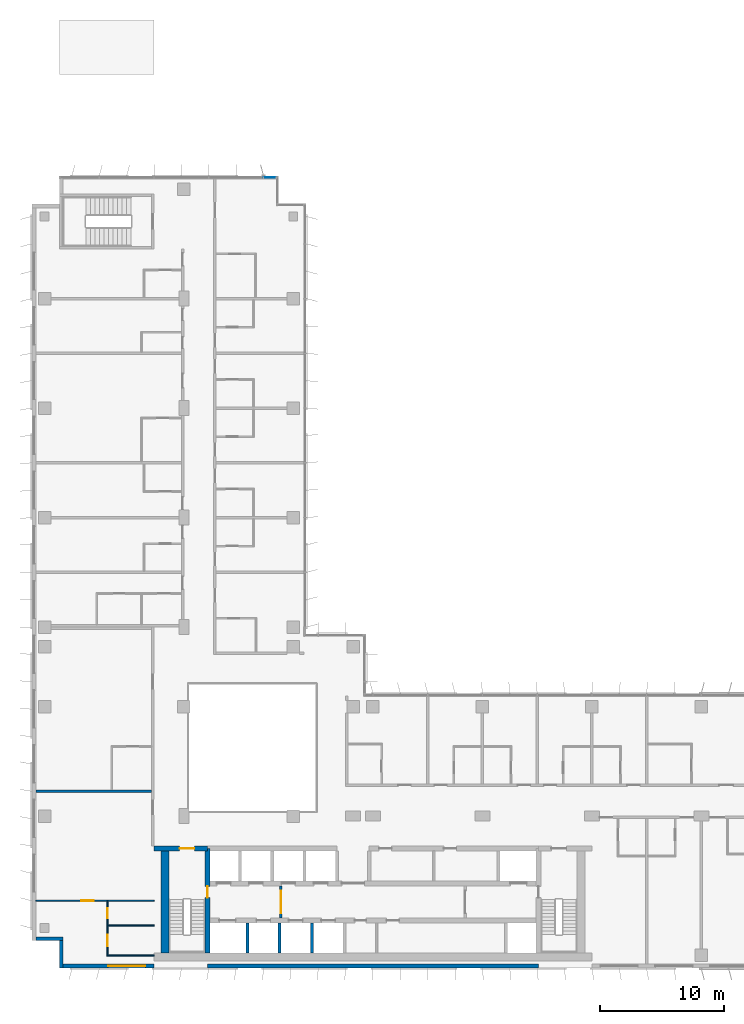
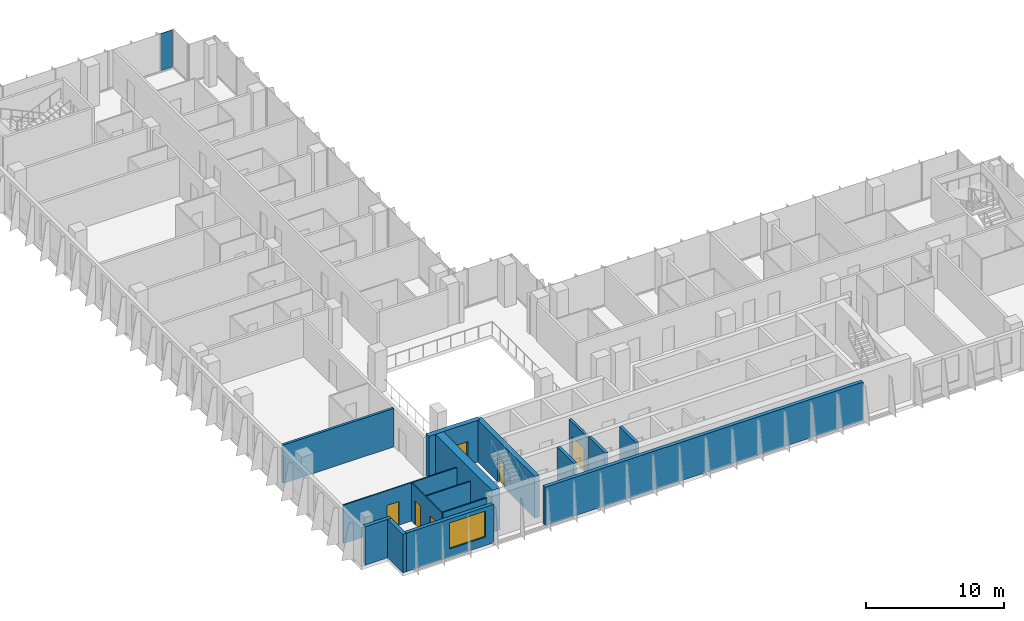
# One storey, part 12 of 21: 16 walls, 6 doors, 1 plate, 1 window, 7 openings, 1 element without a shape of its own.
"""IFC4 building model written with IfcOpenShell, lengths in metres."""

from ifc_helpers import new_model, si_unit, direction, frame, frame_2d, origin, origin_2d, place, context, subcontext, project, spatial, rectangle, extrude, source, transform, mapped, material, layer, layer_set, type_object, element, fill, aggregate, save


model = new_model("IFC4")

# Units and contexts
model_context = context("Model", 3, precision=1e-05, world=origin(), true_north=direction((0.0, 1.0)))
body_context = subcontext(model_context, "Body", "Model", "MODEL_VIEW")
ifc_project = project(units=[si_unit("LENGTHUNIT", "METRE"), si_unit("AREAUNIT", "SQUARE_METRE"), si_unit("VOLUMEUNIT", "CUBIC_METRE"), si_unit("PLANEANGLEUNIT", "RADIAN"), si_unit("MASSUNIT", "GRAM", prefix="KILO")], contexts=[model_context])

# Site, building, storey
site_placement = place(None, origin())
site = spatial("IfcSite", under=ifc_project, at=site_placement, CompositionType="ELEMENT")
building_placement = place(site_placement, origin())
building = spatial("IfcBuilding", under=site, at=building_placement, Name="Kemantara Hotel Tower", CompositionType="ELEMENT")
storey_placement = place(building_placement, frame((0.0, 0.0, 156.800048828125)))
storey = spatial("IfcBuildingStorey", under=building, at=storey_placement, Name="L38", CompositionType="ELEMENT", Elevation=156.800048828125)

# Curtain wall, plate
ifc_material_1 = material(Name="Low-E tinted double insulated glass 36 mm", Category="glass")
curtain_wall_type = type_object("IfcCurtainWallType", Name="TOWER CURTAIN WALL, FRONT FACES", PredefinedType="USERDEFINED", material=ifc_material_1)
curtain_wall_placement = place(storey_placement, origin())
curtain_wall = element("IfcCurtainWall", 1, at=curtain_wall_placement, inside=storey, type_object=curtain_wall_type, Name="CW4 L38 T3-R02-1", ObjectType="TOWER CURTAIN WALL, FRONT FACES", PredefinedType="USERDEFINED")
ifc_layer_1 = layer(ifc_material_1, 0.035888671875)
ifc_layer_set_1 = layer_set([ifc_layer_1], Name="Low-E tinted double insulated glass 36 mm")
plate_type = type_object("IfcPlateType", Name="TOWER CURTAIN WALL, FRONT FACES PANEL", PredefinedType="CURTAIN_PANEL", material=ifc_layer_set_1)
shared_shape = source(origin(), body_context, "Body", "SweptSolid", [
    extrude(rectangle(XDim=0.9599609375, YDim=0.035888671875, at=origin_2d()), origin(), (0.0, 0.0, 1.0), 3.280029296875),
])
plate_placement = place(storey_placement, frame((19.110107421875, 63.52490234375, 0.1201171875), z_axis=(0.0, 0.0, 1.0), x_axis=(-1.0, 0.0, 0.0)))
plate = element("IfcPlate", 2, at=plate_placement, type_object=plate_type, Name="CW4 glass panel T3-R02-1.1", PredefinedType="CURTAIN_PANEL", context=body_context, shape_type="MappedRepresentation", body=[
    mapped(shared_shape, transform((0.0, 0.0, 0.0))),
])
aggregate(curtain_wall, [plate])

# Walls
ifc_material_2 = material(Name="Bronze anodised aluminium cladding on insulated steel stud wall", Category="steel")
ifc_layer_2 = layer(ifc_material_2, 0.300048828125)
ifc_layer_set_2 = layer_set([ifc_layer_2], Name="Bronze anodised aluminium cladding on insulated steel stud wall")
wall_type_1 = type_object("IfcWallType", Name="BRONZE METAL-CLAD EXTERNAL WALL 300", PredefinedType="STANDARD", material=ifc_layer_set_2)
for number, where, z_axis, x_axis, name in (
    (3, (0.300048828125, 2.35009765625, 0.0), (0.0, 0.0, 1.0), (1.0, 0.0, 0.0), "EXTERNAL WALL L38 T3-R06"),
    (4, (2.35009765625, 2.199951171875, 0.0), (0.0, 0.0, 1.0), (0.0, -1.0, 0.0), "EXTERNAL WALL L38 T3-R07"),
):
    element("IfcWall", number, at=place(storey_placement, frame(where, z_axis=z_axis, x_axis=x_axis)), inside=storey, type_object=wall_type_1, Name=name, PredefinedType="STANDARD", context=body_context, shape_type="SweptSolid", body=[
        extrude(rectangle(XDim=2.199951171875, YDim=0.300048828125, at=frame_2d((1.10009765625, 0.0))), origin(), (0.0, 0.0, 1.0), 3.39990234375),
    ])

# Wall, opening, window
wall_1_placement = place(storey_placement, frame((2.5, 0.14990234375, 0.0), z_axis=(0.0, 0.0, 1.0), x_axis=(1.0, 0.0, 0.0)))
wall_1 = element("IfcWall", 5, at=wall_1_placement, inside=storey, type_object=wall_type_1, Name="EXTERNAL WALL L38 T3-R08", PredefinedType="STANDARD", context=body_context, shape_type="SweptSolid", body=[
    extrude(rectangle(XDim=7.300048828125, YDim=0.300048828125, at=frame_2d((3.64990234375, 0.0))), origin(), (0.0, 0.0, 1.0), 3.39990234375),
])
opening_1_placement = place(wall_1_placement, frame((3.60009765625, 0.0, 0.75)))
opening_1 = element("IfcOpeningElement", 6, at=opening_1_placement, cuts=wall_1, Name="Opening W1", PredefinedType="OPENING", context=body_context, shape_type="SweptSolid", body=[
    extrude(rectangle(XDim=3.0, YDim=2.300048828125, at=frame_2d((1.5, 1.14990234375))), frame((0.0, 0.159912109375, 0.0), z_axis=(0.0, -1.0, 0.0), x_axis=(1.0, 0.0, 0.0)), (0.0, 0.0, 1.0), 0.320068359375),
])
ifc_material_3 = material(Name="Low-E tinted double insulated glass in bronze anodised aluminium frame", Category="aluminium")
window_type = type_object("IfcWindowType", Name="CHICAGO WINDOW, TRIPLE PANEL 3000x2300", PartitioningType="TRIPLE_PANEL_VERTICAL", PredefinedType="WINDOW", material=ifc_material_3)
window_placement = place(opening_1_placement, origin())
window = element("IfcWindow", 7, at=window_placement, inside=storey, type_object=window_type, Name="CHICAGO WINDOW L38 T3-R08-54", OverallHeight=2.300048828125, OverallWidth=3.0, PartitioningType="SINGLE_PANEL", PredefinedType="WINDOW", context=body_context, shape_type="SweptSolid", body=[
    extrude(rectangle(XDim=3.0, YDim=2.300048828125, at=frame_2d((1.5, 1.14990234375))), frame((0.0, 0.030029296875, 0.0), z_axis=(0.0, -1.0, 0.0), x_axis=(1.0, 0.0, 0.0)), (0.0, 0.0, 1.0), 0.06005859375),
])
fill(opening_1, window)

# Walls
wall_2_placement = place(storey_placement, frame((14.10009765625, 0.14990234375, 0.0), z_axis=(0.0, 0.0, 1.0), x_axis=(1.0, 0.0, 0.0)))
element("IfcWall", 8, at=wall_2_placement, inside=storey, type_object=wall_type_1, Name="EXTERNAL WALL L38 T3-R08-2", PredefinedType="STANDARD", context=body_context, shape_type="SweptSolid", body=[
    extrude(rectangle(XDim=26.599853515625, YDim=0.300048828125, at=frame_2d((13.2998046875, 0.0))), origin(), (0.0, 0.0, 1.0), 3.39990234375),
])
ifc_material_4 = material(Name="Concrete fc 60 MPa", Category="concrete")
ifc_layer_3 = layer(ifc_material_4, 0.25)
ifc_layer_set_3 = layer_set([ifc_layer_3], Name="Concrete fc 60 MPa")
wall_type_2 = type_object("IfcWallType", Name="CORE WALL 250 FC60", PredefinedType="SHEAR", material=ifc_layer_set_3)
for number, where, z_axis, x_axis, name in (
    (9, (17.300048828125, 1.199951171875, 0.0), (0.0, 0.0, 1.0), (0.0, 1.0, 0.0), "CORE WALL CW-DS17.3"),
    (10, (19.89990234375, 1.199951171875, 0.0), (0.0, 0.0, 1.0), (0.0, 1.0, 0.0), "CORE WALL CW-DS19.9"),
    (11, (22.5, 1.199951171875, 0.0), (0.0, 0.0, 1.0), (0.0, 1.0, 0.0), "CORE WALL CW-DS22.5"),
):
    element("IfcWall", number, at=place(storey_placement, frame(where, z_axis=z_axis, x_axis=x_axis)), inside=storey, type_object=wall_type_2, Name=name, PredefinedType="SHEAR", context=body_context, shape_type="SweptSolid", body=[
        extrude(rectangle(XDim=2.400146484375, YDim=0.25, at=frame_2d((1.2001953125, 0.0))), origin(), (0.0, 0.0, 1.0), 3.699951171875),
    ])

# Wall, opening, door
ifc_layer_4 = layer(ifc_material_4, 0.39990234375)
ifc_layer_set_4 = layer_set([ifc_layer_4], Name="Concrete fc 60 MPa")
wall_type_3 = type_object("IfcWallType", Name="CORE WALL 400 FC60", PredefinedType="SHEAR", material=ifc_layer_set_4)
wall_3_placement = place(storey_placement, frame((9.800048828125, 9.60009765625, 0.0), z_axis=(0.0, 0.0, 1.0), x_axis=(1.0, 0.0, 0.0)))
wall_3 = element("IfcWall", 12, at=wall_3_placement, inside=storey, type_object=wall_type_3, Name="CORE WALL CW-N1", PredefinedType="SHEAR", context=body_context, shape_type="SweptSolid", body=[
    extrude(rectangle(XDim=4.300048828125, YDim=0.39990234375, at=frame_2d((2.14990234375, 0.0))), origin(), (0.0, 0.0, 1.0), 3.699951171875),
])
opening_2_placement = place(wall_3_placement, frame((2.050048828125, 0.0, 0.0)))
opening_2 = element("IfcOpeningElement", 13, at=opening_2_placement, cuts=wall_3, Name="Opening C25-ST1-C", PredefinedType="OPENING", context=body_context, shape_type="SweptSolid", body=[
    extrude(rectangle(XDim=1.199951171875, YDim=2.10009765625, at=frame_2d((0.60009765625, 1.050048828125))), frame((0.0, 0.2099609375, 0.0), z_axis=(0.0, -1.0, 0.0), x_axis=(1.0, 0.0, 0.0)), (0.0, 0.0, 1.0), 0.419921875),
])
ifc_material_5 = material(Name="Steel fire door", Category="steel")
door_type_1 = type_object("IfcDoorType", Name="Fire door FD90 1200 x 2100", OperationType="NOTDEFINED", PredefinedType="DOOR", material=ifc_material_5)
door_1_placement = place(opening_2_placement, frame((1.199951171875, 0.0, 0.0), z_axis=(0.0, 0.0, 1.0), x_axis=(-1.0, 0.0, 0.0)))
door_1 = element("IfcDoor", 14, at=door_1_placement, inside=storey, type_object=door_type_1, Name="Stair ST1 door to corridor", OperationType="SINGLE_SWING_LEFT", OverallHeight=2.10009765625, OverallWidth=1.199951171875, PredefinedType="DOOR", context=body_context, shape_type="SweptSolid", body=[
    extrude(rectangle(XDim=1.199951171875, YDim=2.10009765625, at=frame_2d((0.60009765625, 1.050048828125))), frame((0.0, 0.02490234375, 0.0), z_axis=(0.0, -1.0, 0.0), x_axis=(1.0, 0.0, 0.0)), (0.0, 0.0, 1.0), 0.050048828125),
])
fill(opening_2, door_1)

wall_4_placement = place(storey_placement, frame((14.10009765625, 1.199951171875, 0.0), z_axis=(0.0, 0.0, 1.0), x_axis=(0.0, 1.0, 0.0)))
wall_4 = element("IfcWall", 15, at=wall_4_placement, inside=storey, type_object=wall_type_3, Name="CORE WALL CW-ST1E", PredefinedType="SHEAR", context=body_context, shape_type="SweptSolid", body=[
    extrude(rectangle(XDim=8.400146484375, YDim=0.39990234375, at=frame_2d((4.2001953125, 0.0))), origin(), (0.0, 0.0, 1.0), 3.699951171875),
])
opening_3_placement = place(wall_4_placement, frame((4.449951171875, 0.0, 0.0)))
opening_3 = element("IfcOpeningElement", 16, at=opening_3_placement, cuts=wall_4, Name="Opening C25-ST1-F", PredefinedType="OPENING", context=body_context, shape_type="SweptSolid", body=[
    extrude(rectangle(XDim=0.89990234375, YDim=2.10009765625, at=frame_2d((0.449951171875, 1.050048828125))), frame((0.0, 0.2099609375, 0.0), z_axis=(0.0, -1.0, 0.0), x_axis=(1.0, 0.0, 0.0)), (0.0, 0.0, 1.0), 0.419921875),
])
door_type_2 = type_object("IfcDoorType", Name="Fire door FD90 900 x 2100", OperationType="NOTDEFINED", PredefinedType="DOOR", material=ifc_material_5)
door_2_placement = place(opening_3_placement, origin())
door_2 = element("IfcDoor", 17, at=door_2_placement, inside=storey, type_object=door_type_2, Name="Stair ST1 door to firefighting lobby", OperationType="SINGLE_SWING_RIGHT", OverallHeight=2.10009765625, OverallWidth=0.89990234375, PredefinedType="DOOR", context=body_context, shape_type="SweptSolid", body=[
    extrude(rectangle(XDim=0.89990234375, YDim=2.10009765625, at=frame_2d((0.449951171875, 1.050048828125))), frame((0.0, 0.02490234375, 0.0), z_axis=(0.0, -1.0, 0.0), x_axis=(1.0, 0.0, 0.0)), (0.0, 0.0, 1.0), 0.050048828125),
])
fill(opening_3, door_2)

# Walls
ifc_layer_5 = layer(ifc_material_4, 0.64990234375)
ifc_layer_set_5 = layer_set([ifc_layer_5], Name="Concrete fc 60 MPa")
wall_type_4 = type_object("IfcWallType", Name="CORE WALL 650 FC60", PredefinedType="SHEAR", material=ifc_layer_set_5)
wall_5_placement = place(storey_placement, frame((10.675048828125, 1.199951171875, 0.0), z_axis=(0.0, 0.0, 1.0), x_axis=(0.0, 1.0, 0.0)))
element("IfcWall", 18, at=wall_5_placement, inside=storey, type_object=wall_type_4, Name="CORE WALL CW-W", PredefinedType="SHEAR", context=body_context, shape_type="SweptSolid", body=[
    extrude(rectangle(XDim=8.60009765625, YDim=0.64990234375, at=frame_2d((4.300048828125, 0.0))), origin(), (0.0, 0.0, 1.0), 3.699951171875),
])
ifc_material_6 = material(Name="Gypsum board partition, steel studs and mineral wool, 200 mm", Category="steel")
ifc_layer_6 = layer(ifc_material_6, 0.199951171875)
ifc_layer_set_6 = layer_set([ifc_layer_6], Name="Gypsum board partition, steel studs and mineral wool, 200 mm")
wall_type_5 = type_object("IfcWallType", Name="GUEST ROOM PARTY WALL 200", PredefinedType="PARTITIONING", material=ifc_layer_set_6)
wall_6_placement = place(storey_placement, frame((0.31005859375, 14.199951171875, 0.0), z_axis=(0.0, 0.0, 1.0), x_axis=(1.0, 0.0, 0.0)))
element("IfcWall", 19, at=wall_6_placement, inside=storey, type_object=wall_type_5, Name="GUEST ROOM PARTY WALL 200 015", PredefinedType="PARTITIONING", context=body_context, shape_type="SweptSolid", body=[
    extrude(rectangle(XDim=9.2900390625, YDim=0.199951171875, at=frame_2d((4.64501953125, 0.0))), origin(), (0.0, 0.0, 1.0), 3.39990234375),
])

# Wall, opening, door
ifc_material_7 = material(Name="Gypsum board shaft wall")
ifc_layer_7 = layer(ifc_material_7, 0.199951171875)
ifc_layer_set_7 = layer_set([ifc_layer_7], Name="Gypsum board shaft wall")
wall_type_6 = type_object("IfcWallType", Name="Gypsum board shaft wall 200 mm", PredefinedType="PARTITIONING", material=ifc_layer_set_7)
wall_7_placement = place(storey_placement, frame((20.0, 4.0, 0.0), z_axis=(0.0, 0.0, 1.0), x_axis=(0.0, 1.0, 0.0)))
wall_7 = element("IfcWall", 20, at=wall_7_placement, inside=storey, type_object=wall_type_6, Name="Firefighting lobby partition west", PredefinedType="PARTITIONING", context=body_context, shape_type="SweptSolid", body=[
    extrude(rectangle(XDim=2.60009765625, YDim=0.199951171875, at=frame_2d((1.300048828125, 0.0))), origin(), (0.0, 0.0, 1.0), 3.39990234375),
])
opening_4_placement = place(wall_7_placement, frame((0.39990234375, 0.0, 0.0)))
opening_4 = element("IfcOpeningElement", 21, at=opening_4_placement, cuts=wall_7, Name="Opening C25-FFW", PredefinedType="OPENING", context=body_context, shape_type="SweptSolid", body=[
    extrude(rectangle(XDim=1.800048828125, YDim=2.10009765625, at=frame_2d((0.89990234375, 1.050048828125))), frame((0.0, 0.10986328125, 0.0), z_axis=(0.0, -1.0, 0.0), x_axis=(1.0, 0.0, 0.0)), (0.0, 0.0, 1.0), 0.219970703125),
])
door_type_3 = type_object("IfcDoorType", Name="Fire door pair FD60 1800 x 2100", OperationType="DOUBLE_DOOR_SINGLE_SWING", PredefinedType="DOOR", material=ifc_material_5)
door_3_placement = place(opening_4_placement, origin())
door_3 = element("IfcDoor", 22, at=door_3_placement, inside=storey, type_object=door_type_3, Name="Firefighting lobby door west", OperationType="DOUBLE_DOOR_SINGLE_SWING", OverallHeight=2.10009765625, OverallWidth=1.800048828125, PredefinedType="DOOR", context=body_context, shape_type="SweptSolid", body=[
    extrude(rectangle(XDim=1.800048828125, YDim=2.10009765625, at=frame_2d((0.89990234375, 1.050048828125))), frame((0.0, 0.02490234375, 0.0), z_axis=(0.0, -1.0, 0.0), x_axis=(1.0, 0.0, 0.0)), (0.0, 0.0, 1.0), 0.050048828125),
])
fill(opening_4, door_3)

# Wall, openings, doors
ifc_material_8 = material(Name="Gypsum board partition on steel studs, 100 mm", Category="steel")
ifc_layer_8 = layer(ifc_material_8, 0.10009765625)
ifc_layer_set_8 = layer_set([ifc_layer_8], Name="Gypsum board partition on steel studs, 100 mm")
wall_type_7 = type_object("IfcWallType", Name="ROOM PARTITION 100", PredefinedType="PARTITIONING", material=ifc_layer_set_8)
wall_8_placement = place(storey_placement, frame((6.050048828125, 5.35009765625, 0.0), z_axis=(0.0, 0.0, 1.0), x_axis=(0.0, -1.0, 0.0)))
wall_8 = element("IfcWall", 23, at=wall_8_placement, inside=storey, type_object=wall_type_7, Name="ROOM PARTITION 100 056", PredefinedType="PARTITIONING", context=body_context, shape_type="SweptSolid", body=[
    extrude(rectangle(XDim=4.400146484375, YDim=0.10009765625, at=frame_2d((2.2001953125, 0.0))), origin(), (0.0, 0.0, 1.0), 3.39990234375),
])
opening_5_placement = place(wall_8_placement, frame((2.699951171875, 0.0, 0.0)))
opening_5 = element("IfcOpeningElement", 24, at=opening_5_placement, cuts=wall_8, Name="Opening F17-021", PredefinedType="OPENING", context=body_context, shape_type="SweptSolid", body=[
    extrude(rectangle(XDim=0.89990234375, YDim=2.10009765625, at=frame_2d((0.449951171875, 1.050048828125))), frame((0.0, 0.06005859375, 0.0), z_axis=(0.0, -1.0, 0.0), x_axis=(1.0, 0.0, 0.0)), (0.0, 0.0, 1.0), 0.1201171875),
])
opening_6_placement = place(wall_8_placement, frame((0.550048828125, 0.0, 0.0)))
opening_6 = element("IfcOpeningElement", 25, at=opening_6_placement, cuts=wall_8, Name="Opening F17-022", PredefinedType="OPENING", context=body_context, shape_type="SweptSolid", body=[
    extrude(rectangle(XDim=0.800048828125, YDim=2.10009765625, at=frame_2d((0.39990234375, 1.050048828125))), frame((0.0, 0.06005859375, 0.0), z_axis=(0.0, -1.0, 0.0), x_axis=(1.0, 0.0, 0.0)), (0.0, 0.0, 1.0), 0.1201171875),
])
ifc_material_9 = material(Name="Hardwood veneer door leaf with steel frame", Category="steel")
door_type_4 = type_object("IfcDoorType", Name="BATHROOM DOOR 900 X 2100", OperationType="NOTDEFINED", PredefinedType="DOOR", material=ifc_material_9)
door_4_placement = place(opening_5_placement, origin())
door_4 = element("IfcDoor", 26, at=door_4_placement, inside=storey, type_object=door_type_4, Name="BATHROOM DOOR F17-021", OperationType="SINGLE_SWING_LEFT", OverallHeight=2.10009765625, OverallWidth=0.89990234375, PredefinedType="DOOR", context=body_context, shape_type="SweptSolid", body=[
    extrude(rectangle(XDim=0.89990234375, YDim=2.10009765625, at=frame_2d((0.449951171875, 1.050048828125))), frame((0.0, 0.02490234375, 0.0), z_axis=(0.0, -1.0, 0.0), x_axis=(1.0, 0.0, 0.0)), (0.0, 0.0, 1.0), 0.050048828125),
])
fill(opening_5, door_4)
door_type_5 = type_object("IfcDoorType", Name="WARDROBE DOOR 800 X 2100", OperationType="NOTDEFINED", PredefinedType="DOOR", material=ifc_material_9)
door_5_placement = place(opening_6_placement, origin())
door_5 = element("IfcDoor", 27, at=door_5_placement, inside=storey, type_object=door_type_5, Name="WARDROBE DOOR F17-022", OperationType="SINGLE_SWING_LEFT", OverallHeight=2.10009765625, OverallWidth=0.800048828125, PredefinedType="DOOR", context=body_context, shape_type="SweptSolid", body=[
    extrude(rectangle(XDim=0.800048828125, YDim=2.10009765625, at=frame_2d((0.39990234375, 1.050048828125))), frame((0.0, 0.02490234375, 0.0), z_axis=(0.0, -1.0, 0.0), x_axis=(1.0, 0.0, 0.0)), (0.0, 0.0, 1.0), 0.050048828125),
])
fill(opening_6, door_5)

# Wall, opening, door
wall_9_placement = place(storey_placement, frame((9.7998046875, 5.39990234375, 0.0), z_axis=(0.0, 0.0, 1.0), x_axis=(-1.0, 0.0, 0.0)))
wall_9 = element("IfcWall", 28, at=wall_9_placement, inside=storey, type_object=wall_type_7, Name="ROOM PARTITION 100 057", PredefinedType="PARTITIONING", context=body_context, shape_type="SweptSolid", body=[
    extrude(rectangle(XDim=9.48974609375, YDim=0.10009765625, at=frame_2d((4.744873046875, 0.0))), origin(), (0.0, 0.0, 1.0), 3.39990234375),
])
opening_7_placement = place(wall_9_placement, frame((4.849853515625, 0.0, 0.0)))
opening_7 = element("IfcOpeningElement", 29, at=opening_7_placement, cuts=wall_9, Name="Opening F17-020", PredefinedType="OPENING", context=body_context, shape_type="SweptSolid", body=[
    extrude(rectangle(XDim=1.0, YDim=2.10009765625, at=frame_2d((0.5, 1.050048828125))), frame((0.0, 0.06005859375, 0.0), z_axis=(0.0, -1.0, 0.0), x_axis=(1.0, 0.0, 0.0)), (0.0, 0.0, 1.0), 0.1201171875),
])
door_type_6 = type_object("IfcDoorType", Name="INTERNAL DOOR 1000 X 2100", OperationType="NOTDEFINED", PredefinedType="DOOR", material=ifc_material_9)
door_6_placement = place(opening_7_placement, origin())
door_6 = element("IfcDoor", 30, at=door_6_placement, inside=storey, type_object=door_type_6, Name="INTERNAL DOOR F17-020", OperationType="SINGLE_SWING_LEFT", OverallHeight=2.10009765625, OverallWidth=1.0, PredefinedType="DOOR", context=body_context, shape_type="SweptSolid", body=[
    extrude(rectangle(XDim=1.0, YDim=2.10009765625, at=frame_2d((0.5, 1.050048828125))), frame((0.0, 0.02490234375, 0.0), z_axis=(0.0, -1.0, 0.0), x_axis=(1.0, 0.0, 0.0)), (0.0, 0.0, 1.0), 0.050048828125),
])
fill(opening_7, door_6)

# Walls
for number, where, z_axis, x_axis, name in (
    (31, (6.10009765625, 1.0, 0.0), (0.0, 0.0, 1.0), (1.0, 0.0, 0.0), "ROOM PARTITION 100 058"),
    (32, (6.10009765625, 3.39990234375, 0.0), (0.0, 0.0, 1.0), (1.0, 0.0, 0.0), "ROOM PARTITION 100 059"),
):
    element("IfcWall", number, at=place(storey_placement, frame(where, z_axis=z_axis, x_axis=x_axis)), inside=storey, type_object=wall_type_7, Name=name, PredefinedType="PARTITIONING", context=body_context, shape_type="SweptSolid", body=[
        extrude(rectangle(XDim=3.69970703125, YDim=0.10009765625, at=frame_2d((1.849853515625, 0.0))), origin(), (0.0, 0.0, 1.0), 3.39990234375),
    ])

save(model, "model.ifc")
